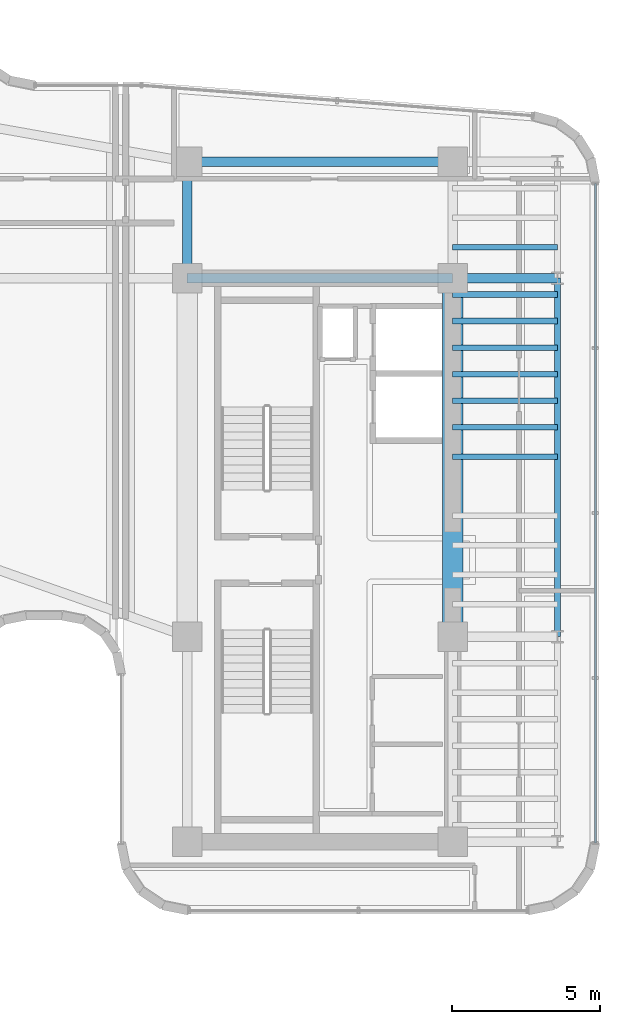
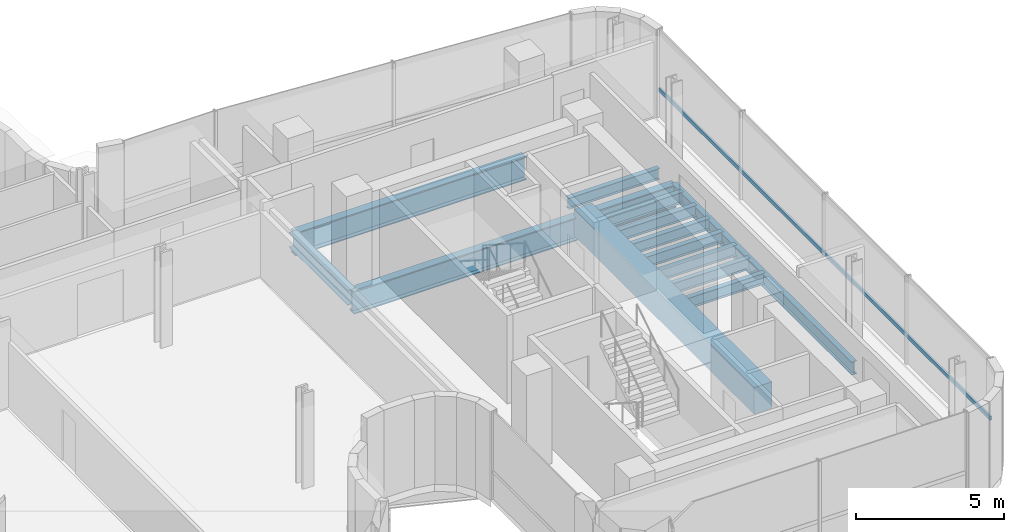
# One storey, part 16 of 39: 14 beams, 1 member, 1 element without a shape of its own.
"""IFC4 building model written with IfcOpenShell, lengths in metres."""

from ifc_helpers import new_model, si_unit, direction, frame, origin, origin_2d, place, context, subcontext, project, spatial, rectangle, hollow_rectangle, i_section, extrude, source, transform, mapped, material, material_profile, profile_set, type_object, element, aggregate, save


model = new_model("IFC4")

# Units and contexts
model_context = context("Model", 3, precision=1e-05, world=origin(), true_north=direction((0.0, 1.0)))
body_context = subcontext(model_context, "Body", "Model", "MODEL_VIEW")
ifc_project = project(units=[si_unit("LENGTHUNIT", "METRE"), si_unit("AREAUNIT", "SQUARE_METRE"), si_unit("VOLUMEUNIT", "CUBIC_METRE"), si_unit("PLANEANGLEUNIT", "RADIAN"), si_unit("MASSUNIT", "GRAM", prefix="KILO")], contexts=[model_context])

# Site, building, storey
site_placement = place(None, origin())
site = spatial("IfcSite", under=ifc_project, at=site_placement, CompositionType="ELEMENT")
building_placement = place(site_placement, origin())
building = spatial("IfcBuilding", under=site, at=building_placement, Name="Valdorenza Pilgrim Sanctuary Tower", CompositionType="ELEMENT")
storey_placement = place(building_placement, frame((0.0, 0.0, 184.449951171875)))
storey = spatial("IfcBuildingStorey", under=building, at=storey_placement, Name="L47", CompositionType="ELEMENT", Elevation=184.449951171875)

# Beams
ifc_material_1 = material(Name="Concrete C50/60", Category="concrete")
ifc_material_profile_1 = material_profile(ifc_material_1, rectangle(XDim=0.699951171875, YDim=1.10009765625, at=origin_2d()), Name="RC 1100x700")
ifc_profile_set_1 = profile_set([ifc_material_profile_1], Name="Concrete C50/60")
beam_type_1 = type_object("IfcBeamType", Name="STR-BM-LNT-1100", PredefinedType="LINTEL", material=ifc_profile_set_1)
shared_shape_1 = source(origin(), body_context, "Body", "SweptSolid", [
    extrude(rectangle(XDim=0.699951171875, YDim=1.10009765625, at=origin_2d()), origin(), (0.0, 0.0, 1.0), 12.150146484375),
])
beam_1_placement = place(storey_placement, frame((24.85009765625, -2.60009765625, -0.58984375), z_axis=(0.0, 1.0, 0.0), x_axis=(-1.0, 0.0, 0.0)))
element("IfcBeam", 1, at=beam_1_placement, inside=storey, type_object=beam_type_1, Name="L47 Core B East Coupling Lintel Girder", PredefinedType="LINTEL", context=body_context, shape_type="MappedRepresentation", body=[
    mapped(shared_shape_1, transform((0.0, 0.0, 0.0), x_axis=(1.0, 0.0, 0.0), y_axis=(0.0, 1.0, 0.0), z_axis=(0.0, 0.0, 1.0), scale=1.0)),
])
ifc_material_2 = material(Name="Steel ASTM A992 Grade 50", Category="steel")
ifc_material_profile_2 = material_profile(ifc_material_2, i_section(OverallWidth=0.323974609375, OverallDepth=0.611083984375, WebThickness=0.0126953125, FlangeThickness=0.01904296875, at=origin_2d()), Name="W24X104")
ifc_profile_set_2 = profile_set([ifc_material_profile_2], Name="Steel ASTM A992 Grade 50")
beam_type_2 = type_object("IfcBeamType", Name="STR-BM-GRD-W24B", PredefinedType="BEAM", material=ifc_profile_set_2)
shared_shape_2 = source(origin(), body_context, "Body", "SweptSolid", [
    extrude(i_section(OverallWidth=0.323974609375, OverallDepth=0.611083984375, WebThickness=0.0126953125, FlangeThickness=0.01904296875, at=origin_2d()), origin(), (0.0, 0.0, 1.0), 3.949951171875),
])
beam_2_placement = place(storey_placement, frame((15.85009765625, 9.550048828125, -0.62548828125), z_axis=(0.0, 1.0, 0.0), x_axis=(-1.0, 0.0, 0.0)))
element("IfcBeam", 2, at=beam_2_placement, inside=storey, type_object=beam_type_2, Name="L47 Core Tie Girder CB-W-N1N2", PredefinedType="BEAM", context=body_context, shape_type="MappedRepresentation", body=[
    mapped(shared_shape_2, transform((0.0, 0.0, 0.0), x_axis=(1.0, 0.0, 0.0), y_axis=(0.0, 1.0, 0.0), z_axis=(0.0, 0.0, 1.0), scale=1.0)),
])
ifc_material_profile_3 = material_profile(ifc_material_2, i_section(OverallWidth=0.19091796875, OverallDepth=0.45703125, WebThickness=0.009033203125, FlangeThickness=0.014404296875, at=origin_2d()), Name="W18X50")
ifc_profile_set_3 = profile_set([ifc_material_profile_3], Name="Steel ASTM A992 Grade 50")
beam_type_3 = type_object("IfcBeamType", Name="STR-BM-JST-W18B", PredefinedType="JOIST", material=ifc_profile_set_3)
shared_shape_3 = source(origin(), body_context, "Body", "SweptSolid", [
    extrude(i_section(OverallWidth=0.19091796875, OverallDepth=0.45703125, WebThickness=0.009033203125, FlangeThickness=0.014404296875, at=origin_2d()), origin(), (0.0, 0.0, 1.0), 3.5498046875),
])
for number, where, z_axis, x_axis, name in (
    (3, (24.85009765625, 3.5, -0.54833984375), (1.0, 0.0, 0.0), (0.0, 1.0, 0.0), "L47 Composite Floor Joist JST-WB-12"),
    (4, (24.85009765625, 4.5, -0.54833984375), (1.0, 0.0, 0.0), (0.0, 1.0, 0.0), "L47 Composite Floor Joist JST-WB-13"),
    (5, (24.85009765625, 5.39990234375, -0.54833984375), (1.0, 0.0, 0.0), (0.0, 1.0, 0.0), "L47 Composite Floor Joist JST-WB-14"),
    (6, (24.85009765625, 6.300048828125, -0.54833984375), (1.0, 0.0, 0.0), (0.0, 1.0, 0.0), "L47 Composite Floor Joist JST-WB-15"),
    (7, (24.85009765625, 7.199951171875, -0.54833984375), (1.0, 0.0, 0.0), (0.0, 1.0, 0.0), "L47 Composite Floor Joist JST-WB-16"),
    (8, (24.85009765625, 8.10009765625, -0.54833984375), (1.0, 0.0, 0.0), (0.0, 1.0, 0.0), "L47 Composite Floor Joist JST-WB-17"),
    (9, (24.85009765625, 9.0, -0.54833984375), (1.0, 0.0, 0.0), (0.0, 1.0, 0.0), "L47 Composite Floor Joist JST-WB-18"),
    (10, (24.85009765625, 10.60009765625, -0.54833984375), (1.0, 0.0, 0.0), (0.0, 1.0, 0.0), "L47 Composite Floor Joist JST-WB-19"),
):
    element("IfcBeam", number, at=place(storey_placement, frame(where, z_axis=z_axis, x_axis=x_axis)), inside=storey, type_object=beam_type_3, Name=name, PredefinedType="JOIST", context=body_context, shape_type="MappedRepresentation", body=[
        mapped(shared_shape_3, transform((0.0, 0.0, 0.0), x_axis=(1.0, 0.0, 0.0), y_axis=(0.0, 1.0, 0.0), z_axis=(0.0, 0.0, 1.0), scale=1.0)),
    ])
ifc_material_profile_4 = material_profile(ifc_material_2, i_section(OverallWidth=0.2109375, OverallDepth=0.5390625, WebThickness=0.01171875, FlangeThickness=0.018798828125, at=origin_2d()), Name="W21X73")
ifc_profile_set_4 = profile_set([ifc_material_profile_4], Name="Steel ASTM A992 Grade 50")
beam_type_4 = type_object("IfcBeamType", Name="STR-BM-SPN-W21B", PredefinedType="SPANDREL", material=ifc_profile_set_4)
shared_shape_4 = source(origin(), body_context, "Body", "SweptSolid", [
    extrude(i_section(OverallWidth=0.2109375, OverallDepth=0.5390625, WebThickness=0.01171875, FlangeThickness=0.018798828125, at=origin_2d()), origin(), (0.0, 0.0, 1.0), 12.150146484375),
])
beam_3_placement = place(storey_placement, frame((28.39990234375, -2.60009765625, -0.58935546875), z_axis=(0.0, 1.0, 0.0), x_axis=(-1.0, 0.0, 0.0)))
element("IfcBeam", 11, at=beam_3_placement, inside=storey, type_object=beam_type_4, Name="L47 Spandrel Beam WB-E-M0N1", PredefinedType="SPANDREL", context=body_context, shape_type="MappedRepresentation", body=[
    mapped(shared_shape_4, transform((0.0, 0.0, 0.0), x_axis=(1.0, 0.0, 0.0), y_axis=(0.0, 1.0, 0.0), z_axis=(0.0, 0.0, 1.0), scale=1.0)),
])
ifc_material_profile_5 = material_profile(ifc_material_2, i_section(OverallWidth=0.31005859375, OverallDepth=0.949951171875, WebThickness=0.0244140625, FlangeThickness=0.0439453125, at=origin_2d()), Name="W36X256")
ifc_profile_set_5 = profile_set([ifc_material_profile_5], Name="Steel ASTM A992 Grade 50")
beam_type_5 = type_object("IfcBeamType", Name="STR-BM-GRD-W36B", PredefinedType="BEAM", material=ifc_profile_set_5)
shared_shape_5 = source(origin(), body_context, "Body", "SweptSolid", [
    extrude(i_section(OverallWidth=0.31005859375, OverallDepth=0.949951171875, WebThickness=0.0244140625, FlangeThickness=0.0439453125, at=origin_2d()), origin(), (0.0, 0.0, 1.0), 9.0),
])
for number, where, z_axis, x_axis, name in (
    (12, (15.85009765625, 9.550048828125, -0.794921875), (1.0, 0.0, 0.0), (0.0, 1.0, 0.0), "L47 Floor Girder CB-XC-N1"),
    (13, (15.85009765625, 13.5, -0.794921875), (1.0, 0.0, 0.0), (0.0, 1.0, 0.0), "L47 Floor Girder CB-XC-N2"),
):
    element("IfcBeam", number, at=place(storey_placement, frame(where, z_axis=z_axis, x_axis=x_axis)), inside=storey, type_object=beam_type_5, Name=name, PredefinedType="BEAM", context=body_context, shape_type="MappedRepresentation", body=[
        mapped(shared_shape_5, transform((0.0, 0.0, 0.0), x_axis=(1.0, 0.0, 0.0), y_axis=(0.0, 1.0, 0.0), z_axis=(0.0, 0.0, 1.0), scale=1.0)),
    ])
shared_shape_6 = source(origin(), body_context, "Body", "SweptSolid", [
    extrude(i_section(OverallWidth=0.31005859375, OverallDepth=0.949951171875, WebThickness=0.0244140625, FlangeThickness=0.0439453125, at=origin_2d()), origin(), (0.0, 0.0, 1.0), 3.5498046875),
])
beam_4_placement = place(storey_placement, frame((24.85009765625, 9.550048828125, -0.794921875), z_axis=(1.0, 0.0, 0.0), x_axis=(0.0, 1.0, 0.0)))
element("IfcBeam", 14, at=beam_4_placement, inside=storey, type_object=beam_type_5, Name="L47 Floor Girder WB-XE-N1", PredefinedType="BEAM", context=body_context, shape_type="MappedRepresentation", body=[
    mapped(shared_shape_6, transform((0.0, 0.0, 0.0), x_axis=(1.0, 0.0, 0.0), y_axis=(0.0, 1.0, 0.0), z_axis=(0.0, 0.0, 1.0), scale=1.0)),
])

# Curtain wall, member
ifc_material_3 = material(Name="Curtain-wall IGU glazing", Category="glass")
curtain_wall_type = type_object("IfcCurtainWallType", Name="CW-SYS-03", PredefinedType="NOTDEFINED", material=ifc_material_3)
curtain_wall_placement = place(storey_placement, origin())
curtain_wall = element("IfcCurtainWall", 15, at=curtain_wall_placement, inside=storey, type_object=curtain_wall_type, Name="L47 Curtain Wall CW-L47-1-37", PredefinedType="NOTDEFINED")
ifc_material_4 = material(Name="Anodised aluminium AW-6060", Category="aluminium")
ifc_material_profile_6 = material_profile(ifc_material_4, hollow_rectangle(XDim=0.074951171875, YDim=0.159912109375, WallThickness=0.00390625, at=origin_2d()), Name="ALU-T 160x75x4")
ifc_profile_set_6 = profile_set([ifc_material_profile_6], Name="Anodised aluminium AW-6060")
member_type = type_object("IfcMemberType", Name="CW-TRN-03", PredefinedType="USERDEFINED", material=ifc_profile_set_6)
shared_shape_7 = source(origin(), body_context, "Body", "SweptSolid", [
    extrude(hollow_rectangle(XDim=0.074951171875, YDim=0.159912109375, WallThickness=0.00390625, at=origin_2d()), origin(), (0.0, 0.0, 1.0), 22.357421875),
])
member_placement = place(storey_placement, frame((29.68994140625, 12.768310546875, 1.1201171875), z_axis=(0.0, -1.0, 0.0), x_axis=(1.0, 0.0, 0.0)))
member = element("IfcMember", 16, at=member_placement, type_object=member_type, Name="CW-L47-1-37 Transom 1", ObjectType="TRANSOM", PredefinedType="USERDEFINED", context=body_context, shape_type="MappedRepresentation", body=[
    mapped(shared_shape_7, transform((0.0, 0.0, 0.0), x_axis=(1.0, 0.0, 0.0), y_axis=(0.0, 1.0, 0.0), z_axis=(0.0, 0.0, 1.0), scale=1.0)),
])
aggregate(curtain_wall, [member])

save(model, "model.ifc")
